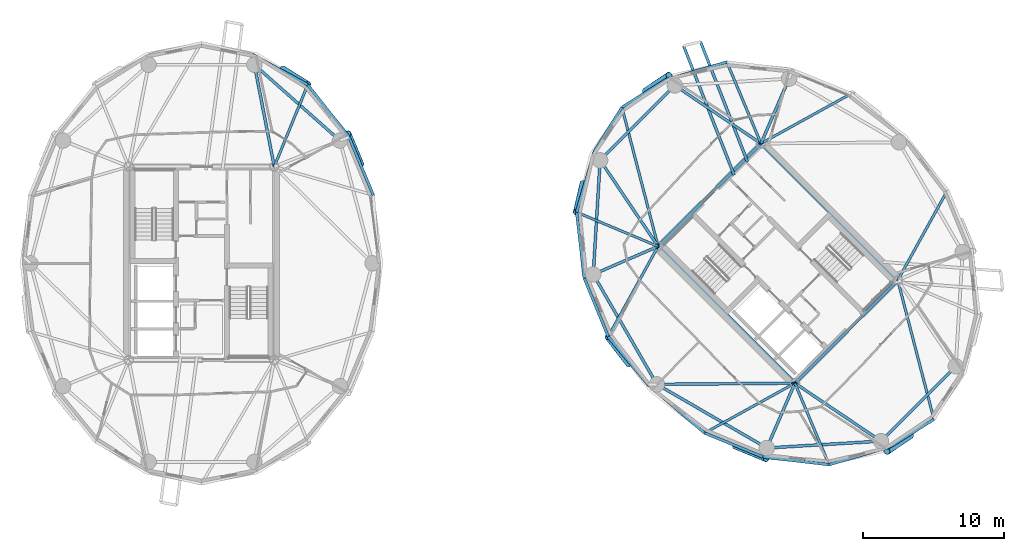
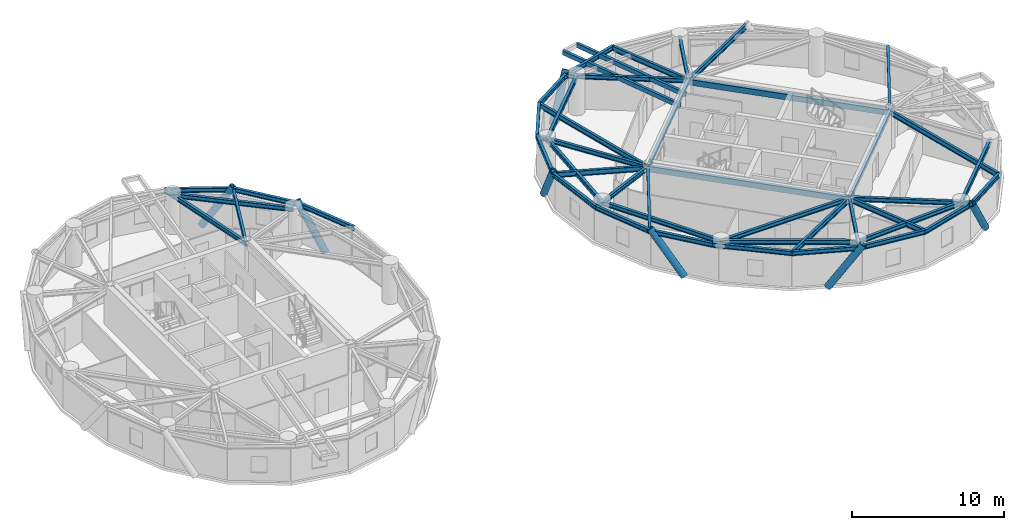
# One storey, part 4 of 15: 46 beams, 7 members.
"""IFC4 building model written with IfcOpenShell, lengths in metres."""

from ifc_helpers import new_model, si_unit, direction, frame, origin, origin_2d, place, context, subcontext, project, spatial, hollow_rectangle, hollow_circle, i_section, extrude, material, material_profile, profile_set, type_object, element, save


model = new_model("IFC4")

# Units and contexts
model_context = context("Model", 3, precision=1e-05, world=origin(), true_north=direction((0.0, 1.0)))
body_context = subcontext(model_context, "Body", "Model", "MODEL_VIEW")
ifc_project = project(units=[si_unit("LENGTHUNIT", "METRE"), si_unit("AREAUNIT", "SQUARE_METRE"), si_unit("VOLUMEUNIT", "CUBIC_METRE"), si_unit("PLANEANGLEUNIT", "RADIAN"), si_unit("MASSUNIT", "GRAM", prefix="KILO")], contexts=[model_context])

# Site, building, storey
site_placement = place(None, origin())
site = spatial("IfcSite", under=ifc_project, at=site_placement, CompositionType="ELEMENT")
building_placement = place(site_placement, origin())
building = spatial("IfcBuilding", under=site, at=building_placement, Name="Cununo Teusaquillo Station Towers", CompositionType="ELEMENT")
storey_placement = place(building_placement, frame((0.0, 0.0, 229.25)))
storey = spatial("IfcBuildingStorey", under=building, at=storey_placement, Name="L73", CompositionType="ELEMENT", Elevation=229.25)

# Beams
ifc_material_1 = material(Name="Steel EN 10025-2 S355J2", Category="steel")
ifc_material_profile_1 = material_profile(ifc_material_1, hollow_rectangle(XDim=0.199951171875, YDim=0.35009765625, WallThickness=0.013916015625, at=origin_2d()), Name="RHS 350x200x14")
ifc_profile_set_1 = profile_set([ifc_material_profile_1], Name="Steel EN 10025-2 S355J2")
beam_type_1 = type_object("IfcBeamType", Name="BM-BAL-CANT", PredefinedType="BEAM", material=ifc_profile_set_1)
beam_1_placement = place(storey_placement, frame((55.329345703125, 31.73388671875, 2.81494140625), z_axis=(-0.364356093101, 0.931259704605, 0.0), x_axis=(-0.931259704605, -0.364356093101, 0.0)))
element("IfcBeam", 1, at=beam_1_placement, inside=storey, type_object=beam_type_1, Name="L73 Tower B Balcony Cantilever Bracket 1A", PredefinedType="BEAM", context=body_context, shape_type="SweptSolid", body=[
    extrude(hollow_rectangle(XDim=0.199951171875, YDim=0.35009765625, WallThickness=0.013916015625, at=origin_2d()), origin(), (0.0, 0.0, 1.0), 9.151123046875),
])
beam_2_placement = place(storey_placement, frame((54.38134765625, 30.785888671875, 2.81494140625), z_axis=(-0.364348965109, 0.931262493406, 0.0), x_axis=(-0.931262493406, -0.364348965109, 0.0)))
element("IfcBeam", 2, at=beam_2_placement, inside=storey, type_object=beam_type_1, Name="L73 Tower B Balcony Cantilever Bracket 1B", PredefinedType="BEAM", context=body_context, shape_type="SweptSolid", body=[
    extrude(hollow_rectangle(XDim=0.199951171875, YDim=0.35009765625, WallThickness=0.013916015625, at=origin_2d()), origin(), (0.0, 0.0, 1.0), 9.8662109375),
])
ifc_material_2 = material(Name="Steel EN 10025-2 S355J2", Category="steel")
ifc_material_profile_2 = material_profile(ifc_material_2, hollow_rectangle(XDim=0.25, YDim=0.449951171875, WallThickness=0.01611328125, at=origin_2d()), Name="RHS 450x250x16")
ifc_profile_set_2 = profile_set([ifc_material_profile_2], Name="Steel EN 10025-2 S355J2")
beam_type_2 = type_object("IfcBeamType", Name="BM-COUP-1", PredefinedType="USERDEFINED", material=ifc_profile_set_2)
for number, where, z_axis, x_axis, name in (
    (3, (58.70556640625, 15.975830078125, 2.764892578125), (-0.707106781187, 0.707106781187, 0.0), (-0.707106781187, -0.707106781187, 0.0), "L73 Tower B Core Beam 1"),
    (4, (66.024169921875, 23.29443359375, 2.764892578125), (-0.707106781187, 0.707106781187, 0.0), (-0.707106781187, -0.707106781187, 0.0), "L73 Tower B Core Beam 2"),
):
    element("IfcBeam", number, at=place(storey_placement, frame(where, z_axis=z_axis, x_axis=x_axis)), inside=storey, type_object=beam_type_2, Name=name, ObjectType="COUPLING BEAM", PredefinedType="USERDEFINED", context=body_context, shape_type="SweptSolid", body=[
        extrude(hollow_rectangle(XDim=0.25, YDim=0.449951171875, WallThickness=0.01611328125, at=origin_2d()), origin(), (0.0, 0.0, 1.0), 13.760009765625),
    ])
ifc_material_3 = material(Name="Steel ASTM A572 Grade 50", Category="steel")
ifc_material_profile_3 = material_profile(ifc_material_3, i_section(OverallWidth=0.180908203125, OverallDepth=0.4169921875, WebThickness=0.010986328125, FlangeThickness=0.018310546875, FilletRadius=0.012939453125, at=origin_2d()), Name="W16X57")
ifc_profile_set_3 = profile_set([ifc_material_profile_3], Name="Steel ASTM A572 Grade 50")
beam_type_3 = type_object("IfcBeamType", Name="BM-JOIST-1", PredefinedType="JOIST", material=ifc_profile_set_3)
beam_3_placement = place(storey_placement, frame((21.675048828125, 31.3798828125, 2.781494140625), z_axis=(0.378576847217, 0.925569862707, 0.0), x_axis=(-0.925569862707, 0.378576847217, 0.0)))
element("IfcBeam", 5, at=beam_3_placement, inside=storey, type_object=beam_type_3, Name="L73 Tower A Radial Spandrel Joist V03", PredefinedType="JOIST", context=body_context, shape_type="SweptSolid", body=[
    extrude(i_section(OverallWidth=0.180908203125, OverallDepth=0.4169921875, WebThickness=0.010986328125, FlangeThickness=0.018310546875, FilletRadius=0.012939453125, at=origin_2d()), origin(), (0.0, 0.0, 1.0), 6.28125),
])
beam_4_placement = place(storey_placement, frame((56.29443359375, 33.024169921875, 2.781494140625), z_axis=(0.8753153358, 0.483552544108, 0.0), x_axis=(-0.483552544108, 0.8753153358, 0.0)))
element("IfcBeam", 6, at=beam_4_placement, inside=storey, type_object=beam_type_3, Name="L73 Tower B Radial Spandrel Joist V01", PredefinedType="JOIST", context=body_context, shape_type="SweptSolid", body=[
    extrude(i_section(OverallWidth=0.180908203125, OverallDepth=0.4169921875, WebThickness=0.010986328125, FlangeThickness=0.018310546875, FilletRadius=0.012939453125, at=origin_2d()), origin(), (0.0, 0.0, 1.0), 7.3330078125),
])
beam_5_placement = place(storey_placement, frame((56.29443359375, 33.024169921875, 2.781494140625), z_axis=(-0.386786389381, 0.922169338565, 0.0), x_axis=(-0.922169338565, -0.386786389381, 0.0)))
element("IfcBeam", 7, at=beam_5_placement, inside=storey, type_object=beam_type_3, Name="L73 Tower B Radial Spandrel Joist V03", PredefinedType="JOIST", context=body_context, shape_type="SweptSolid", body=[
    extrude(i_section(OverallWidth=0.180908203125, OverallDepth=0.4169921875, WebThickness=0.010986328125, FlangeThickness=0.018310546875, FilletRadius=0.012939453125, at=origin_2d()), origin(), (0.0, 0.0, 1.0), 6.281005859375),
])
beam_6_placement = place(storey_placement, frame((48.975830078125, 25.70556640625, 2.781494140625), z_axis=(-0.251559992432, 0.967841707206, 0.0), x_axis=(-0.967841707206, -0.251559992432, 0.0)))
element("IfcBeam", 8, at=beam_6_placement, inside=storey, type_object=beam_type_3, Name="L73 Tower B Radial Spandrel Joist V05", PredefinedType="JOIST", context=body_context, shape_type="SweptSolid", body=[
    extrude(i_section(OverallWidth=0.180908203125, OverallDepth=0.4169921875, WebThickness=0.010986328125, FlangeThickness=0.018310546875, FilletRadius=0.012939453125, at=origin_2d()), origin(), (0.0, 0.0, 1.0), 10.217529296875),
])
beam_7_placement = place(storey_placement, frame((48.975830078125, 25.70556640625, 2.781494140625), z_axis=(-0.922169338565, 0.386786389381, 0.0), x_axis=(-0.386786389381, -0.922169338565, 0.0)))
element("IfcBeam", 9, at=beam_7_placement, inside=storey, type_object=beam_type_3, Name="L73 Tower B Radial Spandrel Joist V07", PredefinedType="JOIST", context=body_context, shape_type="SweptSolid", body=[
    extrude(i_section(OverallWidth=0.180908203125, OverallDepth=0.4169921875, WebThickness=0.010986328125, FlangeThickness=0.018310546875, FilletRadius=0.012939453125, at=origin_2d()), origin(), (0.0, 0.0, 1.0), 6.281005859375),
])
for number, where, z_axis, x_axis, name in (
    (10, (48.975830078125, 25.70556640625, 2.781494140625), (-0.483552544108, -0.8753153358, 0.0), (0.8753153358, -0.483552544108, 0.0), "L73 Tower B Radial Spandrel Joist V09"),
    (11, (58.70556640625, 15.975830078125, 2.781494140625), (-0.8753153358, -0.483552544108, 0.0), (0.483552544108, -0.8753153358, 0.0), "L73 Tower B Radial Spandrel Joist V11"),
):
    element("IfcBeam", number, at=place(storey_placement, frame(where, z_axis=z_axis, x_axis=x_axis)), inside=storey, type_object=beam_type_3, Name=name, PredefinedType="JOIST", context=body_context, shape_type="SweptSolid", body=[
        extrude(i_section(OverallWidth=0.180908203125, OverallDepth=0.4169921875, WebThickness=0.010986328125, FlangeThickness=0.018310546875, FilletRadius=0.012939453125, at=origin_2d()), origin(), (0.0, 0.0, 1.0), 7.3330078125),
    ])
beam_8_placement = place(storey_placement, frame((58.70556640625, 15.975830078125, 2.781494140625), z_axis=(0.386786389381, -0.922169338565, 0.0), x_axis=(0.922169338565, 0.386786389381, 0.0)))
element("IfcBeam", 12, at=beam_8_placement, inside=storey, type_object=beam_type_3, Name="L73 Tower B Radial Spandrel Joist V13", PredefinedType="JOIST", context=body_context, shape_type="SweptSolid", body=[
    extrude(i_section(OverallWidth=0.180908203125, OverallDepth=0.4169921875, WebThickness=0.010986328125, FlangeThickness=0.018310546875, FilletRadius=0.012939453125, at=origin_2d()), origin(), (0.0, 0.0, 1.0), 6.281005859375),
])
beam_9_placement = place(storey_placement, frame((66.024169921875, 23.29443359375, 2.781494140625), z_axis=(0.251559992432, -0.967841707206, 0.0), x_axis=(0.967841707206, 0.251559992432, 0.0)))
element("IfcBeam", 13, at=beam_9_placement, inside=storey, type_object=beam_type_3, Name="L73 Tower B Radial Spandrel Joist V15", PredefinedType="JOIST", context=body_context, shape_type="SweptSolid", body=[
    extrude(i_section(OverallWidth=0.180908203125, OverallDepth=0.4169921875, WebThickness=0.010986328125, FlangeThickness=0.018310546875, FilletRadius=0.012939453125, at=origin_2d()), origin(), (0.0, 0.0, 1.0), 10.217529296875),
])
beam_10_placement = place(storey_placement, frame((66.024169921875, 23.29443359375, 2.781494140625), z_axis=(0.483552544108, 0.8753153358, 0.0), x_axis=(-0.8753153358, 0.483552544108, 0.0)))
element("IfcBeam", 14, at=beam_10_placement, inside=storey, type_object=beam_type_3, Name="L73 Tower B Radial Spandrel Joist V19", PredefinedType="JOIST", context=body_context, shape_type="SweptSolid", body=[
    extrude(i_section(OverallWidth=0.180908203125, OverallDepth=0.4169921875, WebThickness=0.010986328125, FlangeThickness=0.018310546875, FilletRadius=0.012939453125, at=origin_2d()), origin(), (0.0, 0.0, 1.0), 7.3330078125),
])
ifc_material_4 = material(Name="Steel ASTM A572 Grade 50", Category="steel")
ifc_material_profile_4 = material_profile(ifc_material_4, i_section(OverallWidth=0.2041015625, OverallDepth=0.35009765625, WebThickness=0.008544921875, FlangeThickness=0.01513671875, FilletRadius=0.011962890625, at=origin_2d()), Name="W14X48")
ifc_profile_set_4 = profile_set([ifc_material_profile_4], Name="Steel ASTM A572 Grade 50")
beam_type_4 = type_object("IfcBeamType", Name="BM-LINTEL-1", PredefinedType="LINTEL", material=ifc_profile_set_4)
for number, where, z_axis, x_axis, name in (
    (15, (58.70556640625, 15.975830078125, 2.81494140625), (0.707106781187, 0.707106781187, 0.0), (-0.707106781187, 0.707106781187, 0.0), "L73 Tower B Core Beam 3"),
    (16, (48.975830078125, 25.70556640625, 2.81494140625), (0.707106781187, 0.707106781187, 0.0), (-0.707106781187, 0.707106781187, 0.0), "L73 Tower B Core Beam 4"),
):
    element("IfcBeam", number, at=place(storey_placement, frame(where, z_axis=z_axis, x_axis=x_axis)), inside=storey, type_object=beam_type_4, Name=name, PredefinedType="LINTEL", context=body_context, shape_type="SweptSolid", body=[
        extrude(i_section(OverallWidth=0.2041015625, OverallDepth=0.35009765625, WebThickness=0.008544921875, FlangeThickness=0.01513671875, FilletRadius=0.011962890625, at=origin_2d()), origin(), (0.0, 0.0, 1.0), 10.35009765625),
    ])
ifc_material_5 = material(Name="Steel ASTM A572 Grade 50", Category="steel")
ifc_material_profile_5 = material_profile(ifc_material_5, i_section(OverallWidth=0.2041015625, OverallDepth=0.35009765625, WebThickness=0.008544921875, FlangeThickness=0.01513671875, FilletRadius=0.011962890625, at=origin_2d()), Name="W14X48")
ifc_profile_set_5 = profile_set([ifc_material_profile_5], Name="Steel ASTM A572 Grade 50")
beam_type_5 = type_object("IfcBeamType", Name="BM-RAD-G3", PredefinedType="BEAM", material=ifc_profile_set_5)
beam_11_placement = place(storey_placement, frame((21.675048828125, 31.3798828125, 2.81494140625), z_axis=(-0.191548487699, 0.981483151593, 0.0), x_axis=(-0.981483151593, -0.191548487699, 0.0)))
element("IfcBeam", 17, at=beam_11_placement, inside=storey, type_object=beam_type_5, Name="L73 Tower A Continuous Overhanging Radial Girder 03", PredefinedType="BEAM", context=body_context, shape_type="SweptSolid", body=[
    extrude(i_section(OverallWidth=0.2041015625, OverallDepth=0.35009765625, WebThickness=0.008544921875, FlangeThickness=0.01513671875, FilletRadius=0.011962890625, at=origin_2d()), origin(), (0.0, 0.0, 1.0), 8.1240234375),
])
beam_12_placement = place(storey_placement, frame((56.29443359375, 33.024169921875, 2.81494140625), z_axis=(0.397346986387, 0.917668443616, 0.0), x_axis=(-0.917668443616, 0.397346986387, 0.0)))
element("IfcBeam", 18, at=beam_12_placement, inside=storey, type_object=beam_type_5, Name="L73 Tower B Radial Girder 02A", PredefinedType="BEAM", context=body_context, shape_type="SweptSolid", body=[
    extrude(i_section(OverallWidth=0.2041015625, OverallDepth=0.35009765625, WebThickness=0.008544921875, FlangeThickness=0.01513671875, FilletRadius=0.011962890625, at=origin_2d()), origin(), (0.0, 0.0, 1.0), 5.02490234375),
])
for number, where, z_axis, x_axis, name in (
    (19, (56.29443359375, 33.024169921875, 2.81494140625), (-0.829456817529, 0.558570844079, 0.0), (-0.558570844079, -0.829456817529, 0.0), "L73 Tower B Continuous Overhanging Radial Girder 03"),
    (20, (48.975830078125, 25.70556640625, 2.81494140625), (-0.558570844079, 0.829456817529, 0.0), (-0.829456817529, -0.558570844079, 0.0), "L73 Tower B Continuous Overhanging Radial Girder 04"),
):
    element("IfcBeam", number, at=place(storey_placement, frame(where, z_axis=z_axis, x_axis=x_axis)), inside=storey, type_object=beam_type_5, Name=name, PredefinedType="BEAM", context=body_context, shape_type="SweptSolid", body=[
        extrude(i_section(OverallWidth=0.2041015625, OverallDepth=0.35009765625, WebThickness=0.008544921875, FlangeThickness=0.01513671875, FilletRadius=0.011962890625, at=origin_2d()), origin(), (0.0, 0.0, 1.0), 8.1240234375),
    ])
beam_13_placement = place(storey_placement, frame((48.975830078125, 25.70556640625, 2.81494140625), z_axis=(-0.917665176837, -0.397354530893, 0.0), x_axis=(0.397354530893, -0.917665176837, 0.0)))
element("IfcBeam", 21, at=beam_13_placement, inside=storey, type_object=beam_type_5, Name="L73 Tower B Continuous Overhanging Radial Girder 05", PredefinedType="BEAM", context=body_context, shape_type="SweptSolid", body=[
    extrude(i_section(OverallWidth=0.2041015625, OverallDepth=0.35009765625, WebThickness=0.008544921875, FlangeThickness=0.01513671875, FilletRadius=0.011962890625, at=origin_2d()), origin(), (0.0, 0.0, 1.0), 5.716552734375),
])
beam_14_placement = place(storey_placement, frame((58.70556640625, 15.975830078125, 2.81494140625), z_axis=(-0.999964431382, -0.008434214327, 0.0), x_axis=(0.008434214327, -0.999964431382, 0.0)))
element("IfcBeam", 22, at=beam_14_placement, inside=storey, type_object=beam_type_5, Name="L73 Tower B Radial Girder 06A", PredefinedType="BEAM", context=body_context, shape_type="SweptSolid", body=[
    extrude(i_section(OverallWidth=0.2041015625, OverallDepth=0.35009765625, WebThickness=0.008544921875, FlangeThickness=0.01513671875, FilletRadius=0.011962890625, at=origin_2d()), origin(), (0.0, 0.0, 1.0), 9.812744140625),
])
beam_15_placement = place(storey_placement, frame((58.70556640625, 15.975830078125, 2.81494140625), z_axis=(-0.397354530893, -0.917665176837, 0.0), x_axis=(0.917665176837, -0.397354530893, 0.0)))
element("IfcBeam", 23, at=beam_15_placement, inside=storey, type_object=beam_type_5, Name="L73 Tower B Continuous Overhanging Radial Girder 07", PredefinedType="BEAM", context=body_context, shape_type="SweptSolid", body=[
    extrude(i_section(OverallWidth=0.2041015625, OverallDepth=0.35009765625, WebThickness=0.008544921875, FlangeThickness=0.01513671875, FilletRadius=0.011962890625, at=origin_2d()), origin(), (0.0, 0.0, 1.0), 5.716552734375),
])
beam_16_placement = place(storey_placement, frame((58.70556640625, 15.975830078125, 2.81494140625), z_axis=(0.829456817529, -0.558570844079, 0.0), x_axis=(0.558570844079, 0.829456817529, 0.0)))
element("IfcBeam", 24, at=beam_16_placement, inside=storey, type_object=beam_type_5, Name="L73 Tower B Continuous Overhanging Radial Girder 08", PredefinedType="BEAM", context=body_context, shape_type="SweptSolid", body=[
    extrude(i_section(OverallWidth=0.2041015625, OverallDepth=0.35009765625, WebThickness=0.008544921875, FlangeThickness=0.01513671875, FilletRadius=0.011962890625, at=origin_2d()), origin(), (0.0, 0.0, 1.0), 8.1240234375),
])
ifc_material_6 = material(Name="Steel ASTM A572 Grade 50", Category="steel")
ifc_material_profile_6 = material_profile(ifc_material_6, i_section(OverallWidth=0.2041015625, OverallDepth=0.35009765625, WebThickness=0.008544921875, FlangeThickness=0.01513671875, FilletRadius=0.011962890625, at=origin_2d()), Name="W14X48")
ifc_profile_set_6 = profile_set([ifc_material_profile_6], Name="Steel ASTM A572 Grade 50")
beam_type_6 = type_object("IfcBeamType", Name="BM-RING-Z4", PredefinedType="SPANDREL", material=ifc_profile_set_6)
beam_17_placement = place(storey_placement, frame((26.347412109375, 33.228515625, 2.81494140625), z_axis=(-0.74832120039, 0.66333655187, 0.0), x_axis=(-0.66333655187, -0.74832120039, 0.0)))
element("IfcBeam", 25, at=beam_17_placement, inside=storey, type_object=beam_type_6, Name="L73 Tower A Structural Column Ring Girder 02", PredefinedType="SPANDREL", context=body_context, shape_type="SweptSolid", body=[
    extrude(i_section(OverallWidth=0.2041015625, OverallDepth=0.35009765625, WebThickness=0.008544921875, FlangeThickness=0.01513671875, FilletRadius=0.011962890625, at=origin_2d()), origin(), (0.0, 0.0, 1.0), 8.1328125),
])
beam_18_placement = place(storey_placement, frame((28.72119140625, 29.348388671875, 2.81494140625), z_axis=(-0.386115454066, 0.922450462698, 0.0), x_axis=(-0.922450462698, -0.386115454066, 0.0)))
element("IfcBeam", 26, at=beam_18_placement, inside=storey, type_object=beam_type_6, Name="L73 Tower A Spandrel Ring Beam 02", PredefinedType="SPANDREL", context=body_context, shape_type="SweptSolid", body=[
    extrude(i_section(OverallWidth=0.2041015625, OverallDepth=0.35009765625, WebThickness=0.008544921875, FlangeThickness=0.01513671875, FilletRadius=0.011962890625, at=origin_2d()), origin(), (0.0, 0.0, 1.0), 4.482421875),
])
beam_19_placement = place(storey_placement, frame((26.990478515625, 33.483154296875, 2.81494140625), z_axis=(-0.620710872531, 0.784039547932, 0.0), x_axis=(-0.784039547932, -0.620710872531, 0.0)))
element("IfcBeam", 27, at=beam_19_placement, inside=storey, type_object=beam_type_6, Name="L73 Tower A Spandrel Ring Beam 03", PredefinedType="SPANDREL", context=body_context, shape_type="SweptSolid", body=[
    extrude(i_section(OverallWidth=0.2041015625, OverallDepth=0.35009765625, WebThickness=0.008544921875, FlangeThickness=0.01513671875, FilletRadius=0.011962890625, at=origin_2d()), origin(), (0.0, 0.0, 1.0), 4.732421875),
])
beam_20_placement = place(storey_placement, frame((24.052978515625, 37.193603515625, 2.81494140625), z_axis=(-0.876576300909, 0.481262910149, 0.0), x_axis=(-0.481262910149, -0.876576300909, 0.0)))
element("IfcBeam", 28, at=beam_20_placement, inside=storey, type_object=beam_type_6, Name="L73 Tower A Spandrel Ring Beam 04", PredefinedType="SPANDREL", context=body_context, shape_type="SweptSolid", body=[
    extrude(i_section(OverallWidth=0.2041015625, OverallDepth=0.35009765625, WebThickness=0.008544921875, FlangeThickness=0.01513671875, FilletRadius=0.011962890625, at=origin_2d()), origin(), (0.0, 0.0, 1.0), 4.488037109375),
])
beam_21_placement = place(storey_placement, frame((50.173095703125, 37.146240234375, 2.81494140625), z_axis=(-0.707106781187, -0.707106781187, 0.0), x_axis=(0.707106781187, -0.707106781187, 0.0)))
element("IfcBeam", 29, at=beam_21_placement, inside=storey, type_object=beam_type_6, Name="L73 Tower B Structural Column Ring Girder 03", PredefinedType="SPANDREL", context=body_context, shape_type="SweptSolid", body=[
    extrude(i_section(OverallWidth=0.2041015625, OverallDepth=0.35009765625, WebThickness=0.008544921875, FlangeThickness=0.01513671875, FilletRadius=0.011962890625, at=origin_2d()), origin(), (0.0, 0.0, 1.0), 7.522705078125),
])
beam_22_placement = place(storey_placement, frame((44.853759765625, 31.826904296875, 2.81494140625), z_axis=(-0.06012979176, -0.998190567048, 0.0), x_axis=(0.998190567048, -0.06012979176, 0.0)))
element("IfcBeam", 30, at=beam_22_placement, inside=storey, type_object=beam_type_6, Name="L73 Tower B Structural Column Ring Girder 04", PredefinedType="SPANDREL", context=body_context, shape_type="SweptSolid", body=[
    extrude(i_section(OverallWidth=0.2041015625, OverallDepth=0.35009765625, WebThickness=0.008544921875, FlangeThickness=0.01513671875, FilletRadius=0.011962890625, at=origin_2d()), origin(), (0.0, 0.0, 1.0), 8.132568359375),
])
for number, where, z_axis, x_axis, name in (
    (31, (44.36474609375, 23.708984375, 2.81494140625), (0.501311121078, -0.865267103202, 0.0), (0.865267103202, 0.501311121078, 0.0), "L73 Tower B Structural Column Ring Girder 05"),
    (32, (48.89306640625, 15.89306640625, 2.81494140625), (0.865267103202, -0.501311121078, 0.0), (0.501311121078, 0.865267103202, 0.0), "L73 Tower B Structural Column Ring Girder 06"),
):
    element("IfcBeam", number, at=place(storey_placement, frame(where, z_axis=z_axis, x_axis=x_axis)), inside=storey, type_object=beam_type_6, Name=name, PredefinedType="SPANDREL", context=body_context, shape_type="SweptSolid", body=[
        extrude(i_section(OverallWidth=0.2041015625, OverallDepth=0.35009765625, WebThickness=0.008544921875, FlangeThickness=0.01513671875, FilletRadius=0.011962890625, at=origin_2d()), origin(), (0.0, 0.0, 1.0), 9.032958984375),
    ])
beam_23_placement = place(storey_placement, frame((56.708984375, 11.36474609375, 2.81494140625), z_axis=(0.998190567048, 0.06012979176, 0.0), x_axis=(-0.06012979176, 0.998190567048, 0.0)))
element("IfcBeam", 33, at=beam_23_placement, inside=storey, type_object=beam_type_6, Name="L73 Tower B Structural Column Ring Girder 07", PredefinedType="SPANDREL", context=body_context, shape_type="SweptSolid", body=[
    extrude(i_section(OverallWidth=0.2041015625, OverallDepth=0.35009765625, WebThickness=0.008544921875, FlangeThickness=0.01513671875, FilletRadius=0.011962890625, at=origin_2d()), origin(), (0.0, 0.0, 1.0), 8.132568359375),
])
beam_24_placement = place(storey_placement, frame((64.826904296875, 11.853759765625, 2.81494140625), z_axis=(0.707106781187, 0.707106781187, 0.0), x_axis=(-0.707106781187, 0.707106781187, 0.0)))
element("IfcBeam", 34, at=beam_24_placement, inside=storey, type_object=beam_type_6, Name="L73 Tower B Structural Column Ring Girder 08", PredefinedType="SPANDREL", context=body_context, shape_type="SweptSolid", body=[
    extrude(i_section(OverallWidth=0.2041015625, OverallDepth=0.35009765625, WebThickness=0.008544921875, FlangeThickness=0.01513671875, FilletRadius=0.011962890625, at=origin_2d()), origin(), (0.0, 0.0, 1.0), 7.522705078125),
])
beam_25_placement = place(storey_placement, frame((53.864990234375, 38.81640625, 2.81494140625), z_axis=(-0.96014487762, -0.279502797802, 0.0), x_axis=(0.279502797802, -0.96014487762, 0.0)))
element("IfcBeam", 35, at=beam_25_placement, inside=storey, type_object=beam_type_6, Name="L73 Tower B Spandrel Ring Beam 04", PredefinedType="SPANDREL", context=body_context, shape_type="SweptSolid", body=[
    extrude(i_section(OverallWidth=0.2041015625, OverallDepth=0.35009765625, WebThickness=0.008544921875, FlangeThickness=0.01513671875, FilletRadius=0.011962890625, at=origin_2d()), origin(), (0.0, 0.0, 1.0), 4.488037109375),
])
for number, where, z_axis, x_axis, name in (
    (36, (49.555908203125, 37.56201171875, 2.81494140625), (-0.848175505099, -0.529715312739, 0.0), (0.529715312739, -0.848175505099, 0.0), "L73 Tower B Spandrel Ring Beam 05"),
    (37, (46.405517578125, 35.594482421875, 2.81494140625), (-0.529715312739, -0.848175505099, 0.0), (0.848175505099, -0.529715312739, 0.0), "L73 Tower B Spandrel Ring Beam 06"),
):
    element("IfcBeam", number, at=place(storey_placement, frame(where, z_axis=z_axis, x_axis=x_axis)), inside=storey, type_object=beam_type_6, Name=name, PredefinedType="SPANDREL", context=body_context, shape_type="SweptSolid", body=[
        extrude(i_section(OverallWidth=0.2041015625, OverallDepth=0.35009765625, WebThickness=0.008544921875, FlangeThickness=0.01513671875, FilletRadius=0.011962890625, at=origin_2d()), origin(), (0.0, 0.0, 1.0), 3.71435546875),
    ])
beam_26_placement = place(storey_placement, frame((44.43798828125, 32.444091796875, 2.81494140625), z_axis=(-0.279502797802, -0.96014487762, 0.0), x_axis=(0.96014487762, -0.279502797802, 0.0)))
element("IfcBeam", 38, at=beam_26_placement, inside=storey, type_object=beam_type_6, Name="L73 Tower B Spandrel Ring Beam 07", PredefinedType="SPANDREL", context=body_context, shape_type="SweptSolid", body=[
    extrude(i_section(OverallWidth=0.2041015625, OverallDepth=0.35009765625, WebThickness=0.008544921875, FlangeThickness=0.01513671875, FilletRadius=0.011962890625, at=origin_2d()), origin(), (0.0, 0.0, 1.0), 4.488037109375),
])
beam_27_placement = place(storey_placement, frame((43.18359375, 28.135009765625, 2.81494140625), z_axis=(0.115452326356, -0.993313022334, 0.0), x_axis=(0.993313022334, 0.115452326356, 0.0)))
element("IfcBeam", 39, at=beam_27_placement, inside=storey, type_object=beam_type_6, Name="L73 Tower B Spandrel Ring Beam 08", PredefinedType="SPANDREL", context=body_context, shape_type="SweptSolid", body=[
    extrude(i_section(OverallWidth=0.2041015625, OverallDepth=0.35009765625, WebThickness=0.008544921875, FlangeThickness=0.01513671875, FilletRadius=0.011962890625, at=origin_2d()), origin(), (0.0, 0.0, 1.0), 4.732666015625),
])
beam_28_placement = place(storey_placement, frame((43.72998046875, 23.43408203125, 2.81494140625), z_axis=(0.379275405388, -0.925283830437, 0.0), x_axis=(0.925283830437, 0.379275405388, 0.0)))
element("IfcBeam", 40, at=beam_28_placement, inside=storey, type_object=beam_type_6, Name="L73 Tower B Spandrel Ring Beam 09", PredefinedType="SPANDREL", context=body_context, shape_type="SweptSolid", body=[
    extrude(i_section(OverallWidth=0.2041015625, OverallDepth=0.35009765625, WebThickness=0.008544921875, FlangeThickness=0.01513671875, FilletRadius=0.011962890625, at=origin_2d()), origin(), (0.0, 0.0, 1.0), 4.482177734375),
])
beam_29_placement = place(storey_placement, frame((45.429931640625, 19.286865234375, 2.81494140625), z_axis=(0.637524682095, -0.770429931739, 0.0), x_axis=(0.770429931739, 0.637524682095, 0.0)))
element("IfcBeam", 41, at=beam_29_placement, inside=storey, type_object=beam_type_6, Name="L73 Tower B Spandrel Ring Beam 10", PredefinedType="SPANDREL", context=body_context, shape_type="SweptSolid", body=[
    extrude(i_section(OverallWidth=0.2041015625, OverallDepth=0.35009765625, WebThickness=0.008544921875, FlangeThickness=0.01513671875, FilletRadius=0.011962890625, at=origin_2d()), origin(), (0.0, 0.0, 1.0), 4.412353515625),
])
beam_30_placement = place(storey_placement, frame((48.242919921875, 15.887451171875, 2.81494140625), z_axis=(0.760065778291, -0.649846145385, 0.0), x_axis=(0.649846145385, 0.760065778291, 0.0)))
element("IfcBeam", 42, at=beam_30_placement, inside=storey, type_object=beam_type_6, Name="L73 Tower B Spandrel Ring Beam 11", PredefinedType="SPANDREL", context=body_context, shape_type="SweptSolid", body=[
    extrude(i_section(OverallWidth=0.2041015625, OverallDepth=0.35009765625, WebThickness=0.008544921875, FlangeThickness=0.01513671875, FilletRadius=0.011962890625, at=origin_2d()), origin(), (0.0, 0.0, 1.0), 5.320556640625),
])
beam_31_placement = place(storey_placement, frame((52.286865234375, 12.429931640625, 2.81494140625), z_axis=(0.925283830437, -0.379275405388, 0.0), x_axis=(0.379275405388, 0.925283830437, 0.0)))
element("IfcBeam", 43, at=beam_31_placement, inside=storey, type_object=beam_type_6, Name="L73 Tower B Spandrel Ring Beam 12", PredefinedType="SPANDREL", context=body_context, shape_type="SweptSolid", body=[
    extrude(i_section(OverallWidth=0.2041015625, OverallDepth=0.35009765625, WebThickness=0.008544921875, FlangeThickness=0.01513671875, FilletRadius=0.011962890625, at=origin_2d()), origin(), (0.0, 0.0, 1.0), 4.482177734375),
])
beam_32_placement = place(storey_placement, frame((56.43408203125, 10.72998046875, 2.81494140625), z_axis=(0.993313022334, -0.115452326356, 0.0), x_axis=(0.115452326356, 0.993313022334, 0.0)))
element("IfcBeam", 44, at=beam_32_placement, inside=storey, type_object=beam_type_6, Name="L73 Tower B Spandrel Ring Beam 13", PredefinedType="SPANDREL", context=body_context, shape_type="SweptSolid", body=[
    extrude(i_section(OverallWidth=0.2041015625, OverallDepth=0.35009765625, WebThickness=0.008544921875, FlangeThickness=0.01513671875, FilletRadius=0.011962890625, at=origin_2d()), origin(), (0.0, 0.0, 1.0), 4.732666015625),
])
beam_33_placement = place(storey_placement, frame((61.135009765625, 10.18359375, 2.81494140625), z_axis=(0.96014487762, 0.279502797802, 0.0), x_axis=(-0.279502797802, 0.96014487762, 0.0)))
element("IfcBeam", 45, at=beam_33_placement, inside=storey, type_object=beam_type_6, Name="L73 Tower B Spandrel Ring Beam 14", PredefinedType="SPANDREL", context=body_context, shape_type="SweptSolid", body=[
    extrude(i_section(OverallWidth=0.2041015625, OverallDepth=0.35009765625, WebThickness=0.008544921875, FlangeThickness=0.01513671875, FilletRadius=0.011962890625, at=origin_2d()), origin(), (0.0, 0.0, 1.0), 4.488037109375),
])
beam_34_placement = place(storey_placement, frame((65.444091796875, 11.43798828125, 2.81494140625), z_axis=(0.848175505099, 0.529715312739, 0.0), x_axis=(-0.529715312739, 0.848175505099, 0.0)))
element("IfcBeam", 46, at=beam_34_placement, inside=storey, type_object=beam_type_6, Name="L73 Tower B Spandrel Ring Beam 15", PredefinedType="SPANDREL", context=body_context, shape_type="SweptSolid", body=[
    extrude(i_section(OverallWidth=0.2041015625, OverallDepth=0.35009765625, WebThickness=0.008544921875, FlangeThickness=0.01513671875, FilletRadius=0.011962890625, at=origin_2d()), origin(), (0.0, 0.0, 1.0), 3.71435546875),
])

# Members
ifc_material_7 = material(Name="Steel EN 10025-2 S355J2", Category="steel")
ifc_material_profile_7 = material_profile(ifc_material_7, hollow_circle(Radius=0.25390625, WallThickness=0.01806640625, at=origin_2d()), Name="CHS 508x18")
ifc_profile_set_7 = profile_set([ifc_material_profile_7], Name="Steel EN 10025-2 S355J2")
member_type = type_object("IfcMemberType", Name="MBR-DIAG-Z4", PredefinedType="BRACE", material=ifc_profile_set_7)
member_1_placement = place(storey_placement, frame((27.80859375, 31.535400390625, -0.139892578125), z_axis=(-0.229186377143, 0.549237979254, 0.803623821621), x_axis=(-0.922875628603, -0.385098135713, 0.0)))
element("IfcMember", 47, at=member_1_placement, inside=storey, type_object=member_type, Name="L73 Tower A Folded-Zigzag Diagrid Tube C01", PredefinedType="BRACE", context=body_context, shape_type="SweptSolid", body=[
    extrude(hollow_circle(Radius=0.25390625, WallThickness=0.01806640625, at=origin_2d()), origin(), (0.0, 0.0, 1.0), 3.98193359375),
])
member_2_placement = place(storey_placement, frame((22.261962890625, 38.307861328125, -0.139892578125), z_axis=(0.46730812708, -0.29072986532, 0.834924703058), x_axis=(0.528249968439, 0.849088906325, 0.0)))
element("IfcMember", 48, at=member_2_placement, inside=storey, type_object=member_type, Name="L73 Tower A Folded-Zigzag Diagrid Tube C03", PredefinedType="BRACE", context=body_context, shape_type="SweptSolid", body=[
    extrude(hollow_circle(Radius=0.25390625, WallThickness=0.01806640625, at=origin_2d()), origin(), (0.0, 0.0, 1.0), 3.83251953125),
])
member_3_placement = place(storey_placement, frame((48.080810546875, 36.72705078125, -0.139892578125), z_axis=(0.442631191042, 0.299129165679, 0.845339796151), x_axis=(-0.559926853965, 0.828542043718, 0.0)))
element("IfcMember", 49, at=member_3_placement, inside=storey, type_object=member_type, Name="L73 Tower B Folded-Zigzag Diagrid Tube C04", PredefinedType="BRACE", context=body_context, shape_type="SweptSolid", body=[
    extrude(hollow_circle(Radius=0.25390625, WallThickness=0.01806640625, at=origin_2d()), origin(), (0.0, 0.0, 1.0), 3.785400390625),
])
member_4_placement = place(storey_placement, frame((43.662109375, 30.189208984375, -0.139892578125), z_axis=(-0.124855848593, -0.535988321459, 0.834941636482), x_axis=(0.97392481585, -0.226871005356, 0.0)))
element("IfcMember", 50, at=member_4_placement, inside=storey, type_object=member_type, Name="L73 Tower B Folded-Zigzag Diagrid Tube C06", PredefinedType="BRACE", context=body_context, shape_type="SweptSolid", body=[
    extrude(hollow_circle(Radius=0.25390625, WallThickness=0.01806640625, at=origin_2d()), origin(), (0.0, 0.0, 1.0), 3.83251953125),
])
member_5_placement = place(storey_placement, frame((46.921875, 17.35009765625, -0.139892578125), z_axis=(-0.370485955024, 0.480946666864, 0.794625987973), x_axis=(-0.792204307351, -0.610255958934, 0.0)))
element("IfcMember", 51, at=member_5_placement, inside=storey, type_object=member_type, Name="L73 Tower B Folded-Zigzag Diagrid Tube C09", PredefinedType="BRACE", context=body_context, shape_type="SweptSolid", body=[
    extrude(hollow_circle(Radius=0.25390625, WallThickness=0.01806640625, at=origin_2d()), origin(), (0.0, 0.0, 1.0), 4.027099609375),
])
member_6_placement = place(storey_placement, frame((54.478515625, 11.52880859375, -0.139892578125), z_axis=(0.550411606357, -0.22630825878, 0.803636507132), x_axis=(0.380273025704, 0.924874275738, 0.0)))
element("IfcMember", 52, at=member_6_placement, inside=storey, type_object=member_type, Name="L73 Tower B Folded-Zigzag Diagrid Tube C11", PredefinedType="BRACE", context=body_context, shape_type="SweptSolid", body=[
    extrude(hollow_circle(Radius=0.25390625, WallThickness=0.01806640625, at=origin_2d()), origin(), (0.0, 0.0, 1.0), 3.98193359375),
])
member_7_placement = place(storey_placement, frame((66.919189453125, 12.27294921875, -0.139892578125), z_axis=(-0.442631191042, -0.299129165679, 0.845339796151), x_axis=(0.559926853965, -0.828542043718, 0.0)))
element("IfcMember", 53, at=member_7_placement, inside=storey, type_object=member_type, Name="L73 Tower B Folded-Zigzag Diagrid Tube C14", PredefinedType="BRACE", context=body_context, shape_type="SweptSolid", body=[
    extrude(hollow_circle(Radius=0.25390625, WallThickness=0.01806640625, at=origin_2d()), origin(), (0.0, 0.0, 1.0), 3.785400390625),
])

save(model, "model.ifc")
